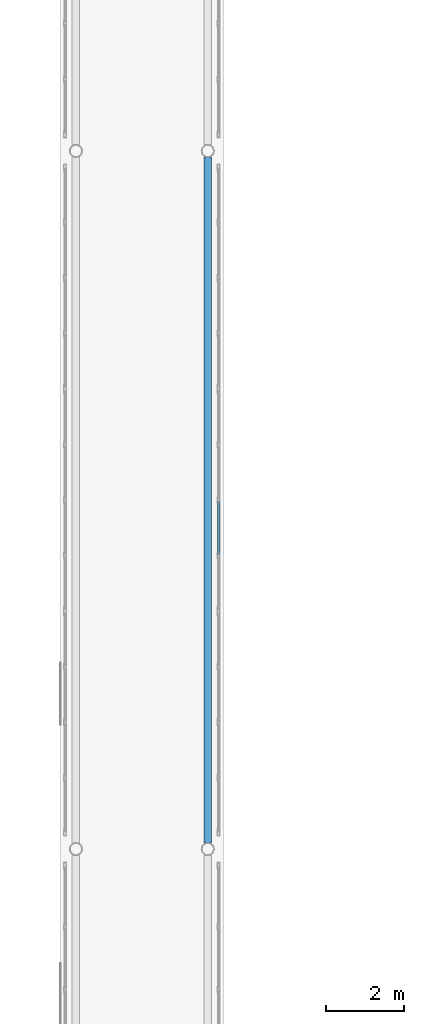
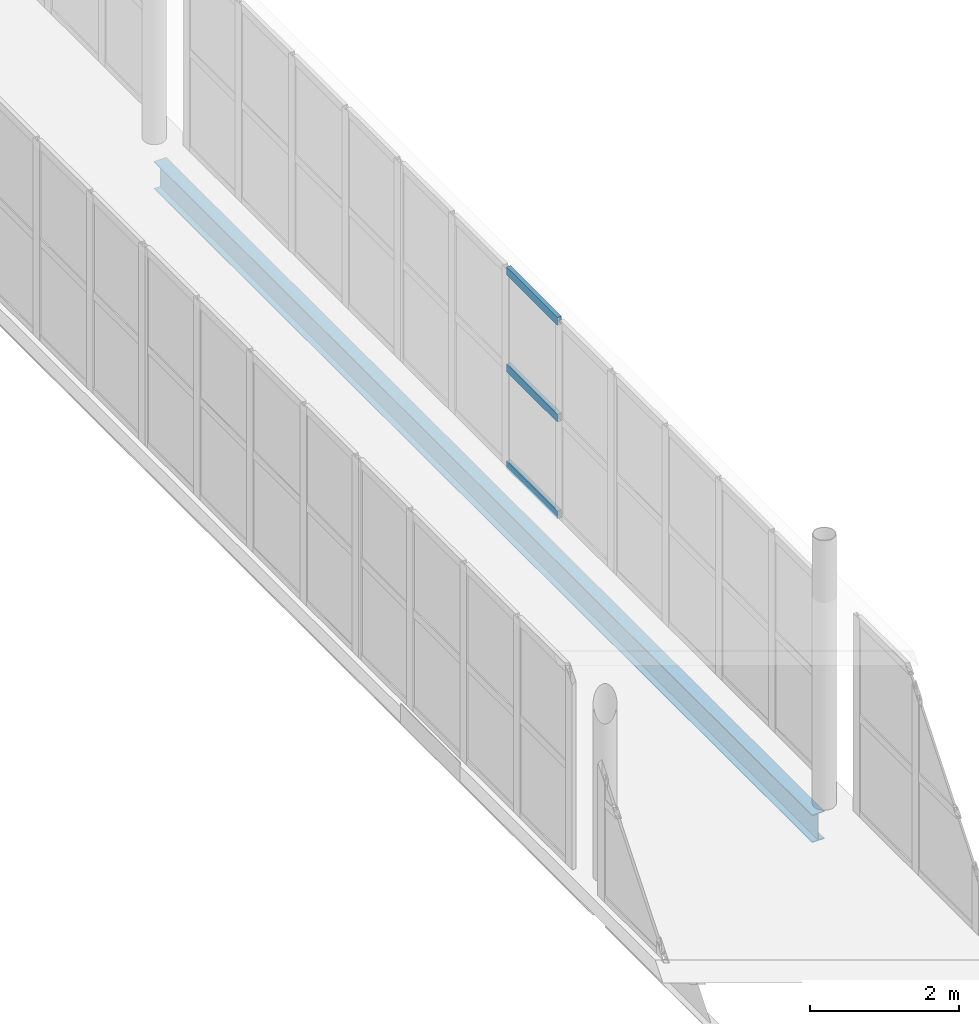
# One storey, part 56 of 142: 3 members, 1 beam, 1 element without a shape of its own.
"""IFC4 building model written with IfcOpenShell, lengths in metres."""

import ifcopenshell
import ifcopenshell.guid

model = None  # the IFC model being written
_history = None  # IfcOwnerHistory: only IFC2X3 demands one
_inside = {}  # id of a spatial element -> (the spatial element, [elements in it])
_under = {}  # id of a project, library or spatial element -> (it, [spatial elements below it])
_declared = {}  # id of a project -> (the project, [libraries it declares])
_typed = {}  # id of a type object -> (the type object, [elements of that type])
_made_of = {}  # id of a material, layer set ... -> (it, [elements and type objects made of it])


def new_model(schema):
    """Start an empty IFC model of exactly this schema.

    Asked for "IFC4X3", IfcOpenShell would pick the latest addendum, in which some entities
    have other attributes; the version numbers below select the first issue.
    IFC2X3 requires an IfcOwnerHistory on every rooted entity: one is made here for all.
    """
    global model, _history
    if schema == "IFC4X3":
        model = ifcopenshell.file(schema_version=(4, 3, 0, 0))
    else:
        model = ifcopenshell.file(schema=schema)
    _inside.clear()
    _under.clear()
    _declared.clear()
    _typed.clear()
    _made_of.clear()
    _history = None
    if model.schema == "IFC2X3":
        org = make("IfcOrganization", Name="unknown")
        user = make(
            "IfcPersonAndOrganization",
            ThePerson=make("IfcPerson", FamilyName="unknown"),
            TheOrganization=org,
        )
        app = make(
            "IfcApplication",
            ApplicationDeveloper=org,
            Version="unknown",
            ApplicationFullName="unknown",
            ApplicationIdentifier="unknown",
        )
        _history = make(
            "IfcOwnerHistory",
            OwningUser=user,
            OwningApplication=app,
            ChangeAction="ADDED",
            CreationDate=0,
        )
    return model


def make(cls, **values):
    """One entity of the class cls with the attributes given. An attribute that is None is left unset."""
    return model.create_entity(
        cls, **{name: value for name, value in values.items() if value is not None}
    )


def rooted(cls, **values):
    """An entity with a GlobalId (a new one), such as an element, a storey or a relation."""
    return make(cls, GlobalId=ifcopenshell.guid.new(), OwnerHistory=_history, **values)


def si_unit(unit_type, name, prefix=None):
    """IfcSIUnit, for example si_unit("LENGTHUNIT", "METRE", prefix="MILLI")."""
    return make("IfcSIUnit", UnitType=unit_type, Prefix=prefix, Name=name)


def assignment(units):
    """IfcUnitAssignment: the units of a project."""
    return None if units is None else make("IfcUnitAssignment", Units=units)


def point(xyz):
    """IfcCartesianPoint."""
    return None if xyz is None else make("IfcCartesianPoint", Coordinates=xyz)


def direction(xyz):
    """IfcDirection."""
    return None if xyz is None else make("IfcDirection", DirectionRatios=xyz)


def frame(location, z_axis=None, x_axis=None):
    """IfcAxis2Placement3D, a coordinate frame: its origin and axes. An axis left out is left unset."""
    return make(
        "IfcAxis2Placement3D",
        Location=point(location),
        Axis=direction(z_axis),
        RefDirection=direction(x_axis),
    )


def frame_2d(location, x_axis=None):
    """IfcAxis2Placement2D, a coordinate frame in the plane: its origin and x axis."""
    return make(
        "IfcAxis2Placement2D", Location=point(location), RefDirection=direction(x_axis)
    )


def origin():
    """The frame at (0, 0, 0) with its axes left unset."""
    return frame((0.0, 0.0, 0.0))


def origin_2d():
    """The frame at (0, 0) in the plane with its x axis left unset."""
    return frame_2d((0.0, 0.0))


def place(relative_to, where):
    """IfcLocalPlacement: puts the frame where relative to a parent placement (None: the world)."""
    return make(
        "IfcLocalPlacement", PlacementRelTo=relative_to, RelativePlacement=where
    )


def context(
    kind, dimensions, precision=None, world=None, true_north=None, identifier=None
):
    """IfcGeometricRepresentationContext, for example the 3D "Model" context."""
    return make(
        "IfcGeometricRepresentationContext",
        ContextIdentifier=identifier,
        ContextType=kind,
        CoordinateSpaceDimension=dimensions,
        Precision=precision,
        WorldCoordinateSystem=world,
        TrueNorth=true_north,
    )


def subcontext(parent, identifier, kind, view, scale=None):
    """IfcGeometricRepresentationSubContext, for example "Body" below "Model"."""
    return make(
        "IfcGeometricRepresentationSubContext",
        ContextIdentifier=identifier,
        ContextType=kind,
        ParentContext=parent,
        TargetScale=scale,
        TargetView=view,
    )


def project(units=None, contexts=None):
    """IfcProject with its units and contexts."""
    return rooted(
        "IfcProject",
        Name="project",
        RepresentationContexts=contexts,
        UnitsInContext=assignment(units),
    )


def spatial(cls, under=None, at=None, **own):
    """A site, building, storey or space (cls), placed at a placement, below another one or the project."""
    s = rooted(cls, ObjectPlacement=at, **own)
    if under is not None:
        _under.setdefault(under.id(), (under, []))[1].append(s)
    return s


def profile(cls, at=None, kind="AREA", **sizes):
    """A parametric profile (cls). Its sizes go by their IFC names, for example OverallWidth=200.0."""
    return make(cls, ProfileType=kind, Position=at, **sizes)


def hollow_rectangle(**sizes):
    """IfcRectangleHollowProfileDef."""
    return profile("IfcRectangleHollowProfileDef", **sizes)


def i_section(**sizes):
    """IfcIShapeProfileDef."""
    return profile("IfcIShapeProfileDef", **sizes)


def extrude(swept, where, along, depth):
    """IfcExtrudedAreaSolid: the profile swept, set in the frame where, extruded along a direction by depth."""
    return make(
        "IfcExtrudedAreaSolid",
        SweptArea=swept,
        Position=where,
        ExtrudedDirection=direction(along),
        Depth=depth,
    )


def shape(context_of_items, identifier, shape_type, items):
    """IfcShapeRepresentation: the items that make up one representation, for example the "Body"."""
    return make(
        "IfcShapeRepresentation",
        ContextOfItems=context_of_items,
        RepresentationIdentifier=identifier,
        RepresentationType=shape_type,
        Items=items,
    )


def material(Name=None, Category=None):
    """IfcMaterial."""
    return make("IfcMaterial", Name=Name, Category=Category)


def layer(
    of_material, thickness, ventilated=None, Name=None, Category=None, Priority=None
):
    """IfcMaterialLayer: one layer of a wall or slab, of a material (None: an air gap)."""
    return make(
        "IfcMaterialLayer",
        Material=of_material,
        LayerThickness=thickness,
        IsVentilated=ventilated,
        Name=Name,
        Category=Category,
        Priority=Priority,
    )


def layer_set(layers, Name=None):
    """IfcMaterialLayerSet."""
    return make("IfcMaterialLayerSet", MaterialLayers=layers, LayerSetName=Name)


def material_profile(
    of_material, cross_section, Name=None, Category=None, Priority=None
):
    """IfcMaterialProfile: a cross section and its material."""
    return make(
        "IfcMaterialProfile",
        Name=Name,
        Material=of_material,
        Profile=cross_section,
        Priority=Priority,
        Category=Category,
    )


def profile_set(profiles, Name=None, composite=None):
    """IfcMaterialProfileSet."""
    return make(
        "IfcMaterialProfileSet",
        Name=Name,
        MaterialProfiles=profiles,
        CompositeProfile=composite,
    )


def made_of(thing, what):
    """Note that an element or type object is made of a material, layer set ...; save() writes the relation."""
    if what is not None:
        _made_of.setdefault(what.id(), (what, []))[1].append(thing)
    return thing


def type_object(cls, material=None, **own):
    """A type object (cls), such as IfcWallType, which elements share."""
    return made_of(rooted(cls, **own), material)


def element(
    cls,
    number,
    at=None,
    inside=None,
    cuts=None,
    type_object=None,
    material=None,
    context=None,
    identifier="Body",
    shape_type=None,
    held_by="IfcProductDefinitionShape",
    body=None,
    shapes=None,
    **own,
):
    """One element of the class cls, such as IfcWall. Its Tag is "e" and its number.

    at: its placement. inside: the storey or other place that contains it. cuts: it is an
    opening in that element (IfcRelVoidsElement). A single representation is given by context,
    identifier, shape_type and body (its items); several are given by shapes. held_by: the class
    of the entity that holds the representations. save() writes the other relations.
    """
    e = rooted(cls, Tag="e%d" % number, ObjectPlacement=at, **own)
    if body is not None:
        shapes = [shape(context, identifier, shape_type, body)]
    if shapes is not None:
        e.Representation = make(held_by, Representations=shapes)
    if inside is not None:
        _inside.setdefault(inside.id(), (inside, []))[1].append(e)
    if cuts is not None:
        rooted(
            "IfcRelVoidsElement", RelatingBuildingElement=cuts, RelatedOpeningElement=e
        )
    if type_object is not None:
        _typed.setdefault(type_object.id(), (type_object, []))[1].append(e)
    return made_of(e, material)


def aggregate(whole, parts):
    """IfcRelAggregates: a whole, such as a stair, and the parts it consists of."""
    return rooted("IfcRelAggregates", RelatingObject=whole, RelatedObjects=parts)


def save(model, path):
    """Write the relations noted so far, then the file.

    IfcRelAggregates (storeys below a building ...), IfcRelContainedInSpatialStructure (elements
    in a storey), IfcRelDefinesByType, IfcRelAssociatesMaterial and IfcRelDeclares: one each for
    every whole, place, type object, material and project.
    """
    for whole, parts in _under.values():
        aggregate(whole, parts)
    for where, things in _inside.values():
        rooted(
            "IfcRelContainedInSpatialStructure",
            RelatedElements=things,
            RelatingStructure=where,
        )
    for kind, things in _typed.values():
        rooted("IfcRelDefinesByType", RelatedObjects=things, RelatingType=kind)
    for what, things in _made_of.values():
        rooted("IfcRelAssociatesMaterial", RelatedObjects=things, RelatingMaterial=what)
    for by, libraries in _declared.values():
        rooted("IfcRelDeclares", RelatingContext=by, RelatedDefinitions=libraries)
    model.write(path)


model = new_model("IFC4")

# Units and contexts
model_context = context("Model", 3, precision=1e-05, world=origin(), true_north=direction((0.0, 1.0)))
body_context = subcontext(model_context, "Body", "Model", "MODEL_VIEW")
ifc_project = project(units=[si_unit("LENGTHUNIT", "METRE"), si_unit("AREAUNIT", "SQUARE_METRE"), si_unit("VOLUMEUNIT", "CUBIC_METRE"), si_unit("PLANEANGLEUNIT", "RADIAN"), si_unit("MASSUNIT", "GRAM", prefix="KILO")], contexts=[model_context])

# Site, building, storey
site_placement = place(None, origin())
site = spatial("IfcSite", under=ifc_project, at=site_placement, CompositionType="ELEMENT")
building_placement = place(site_placement, origin())
building = spatial("IfcBuilding", under=site, at=building_placement, Name="Valcora Specialist Clinic", CompositionType="ELEMENT")
storey_placement = place(building_placement, frame((0.0, 0.0, 5.10009765625)))
storey = spatial("IfcBuildingStorey", under=building, at=storey_placement, Name="L01", CompositionType="ELEMENT", Elevation=5.10009765625)

# Beam
ifc_material_1 = material(Name="Steel ASTM A992 Grade 50", Category="steel")
ifc_material_profile_1 = material_profile(ifc_material_1, i_section(OverallWidth=0.18994140625, OverallDepth=0.45703125, WebThickness=0.009033203125, FlangeThickness=0.014892578125, at=origin_2d()), Name="ST-IR-460X190")
ifc_profile_set_1 = profile_set([ifc_material_profile_1], Name="Steel ASTM A992 Grade 50")
beam_type = type_object("IfcBeamType", Name="TY-BG-IR460", PredefinedType="HOLLOWCORE", material=ifc_profile_set_1)
beam_placement = place(storey_placement, frame((65.0, 38.159912109375, -0.482666015625), z_axis=(0.0, 1.0, 0.0), x_axis=(-1.0, 0.0, 0.0)))
element("IfcBeam", 1, at=beam_placement, inside=storey, type_object=beam_type, Name="Bridge girder BM-L01-1622", PredefinedType="HOLLOWCORE", context=body_context, shape_type="SweptSolid", body=[
    extrude(i_section(OverallWidth=0.18994140625, OverallDepth=0.45703125, WebThickness=0.009033203125, FlangeThickness=0.014892578125, at=origin_2d()), origin(), (0.0, 0.0, 1.0), 17.68017578125),
])

# Curtain wall, members
ifc_material_2 = material(Name="Anodized Bronze Aluminium 6063-T6", Category="aluminium")
ifc_layer = layer(ifc_material_2, 0.175048828125)
ifc_layer_set = layer_set([ifc_layer], Name="Anodized Bronze Aluminium 6063-T6")
curtain_wall_type = type_object("IfcCurtainWallType", Name="TY-CW-BRG14", PredefinedType="NOTDEFINED", material=ifc_layer_set)
curtain_wall_placement = place(storey_placement, origin())
curtain_wall = element("IfcCurtainWall", 2, at=curtain_wall_placement, inside=storey, type_object=curtain_wall_type, Name="Curtain wall CW-L01-244", PredefinedType="NOTDEFINED")
ifc_material_profile_2 = material_profile(ifc_material_2, hollow_rectangle(XDim=0.06494140625, YDim=0.1298828125, WallThickness=0.00390625, at=origin_2d()), Name="AL-TRN-65X130")
ifc_profile_set_2 = profile_set([ifc_material_profile_2], Name="Anodized Bronze Aluminium 6063-T6")
member_type = type_object("IfcMemberType", Name="TY-CWT-65X130", PredefinedType="USERDEFINED", material=ifc_profile_set_2)
member_1_placement = place(storey_placement, frame((65.280029296875, 45.59912109375, 0.032470703125), z_axis=(0.0, 1.0, 0.0), x_axis=(-1.0, 0.0, 0.0)))
member_1 = element("IfcMember", 3, at=member_1_placement, type_object=member_type, Name="CW-BRG-14 transom 2.1", ObjectType="TRANSOM", PredefinedType="USERDEFINED", context=body_context, shape_type="SweptSolid", body=[
    extrude(hollow_rectangle(XDim=0.06494140625, YDim=0.1298828125, WallThickness=0.00390625, at=origin_2d()), origin(), (0.0, 0.0, 1.0), 1.368408203125),
])
member_2_placement = place(storey_placement, frame((65.280029296875, 45.59912109375, 1.619873046875), z_axis=(0.0, 1.0, 0.0), x_axis=(-1.0, 0.0, 0.0)))
member_2 = element("IfcMember", 4, at=member_2_placement, type_object=member_type, Name="CW-BRG-14 transom 2.2", ObjectType="TRANSOM", PredefinedType="USERDEFINED", context=body_context, shape_type="SweptSolid", body=[
    extrude(hollow_rectangle(XDim=0.06494140625, YDim=0.1298828125, WallThickness=0.00390625, at=origin_2d()), origin(), (0.0, 0.0, 1.0), 1.368408203125),
])
member_3_placement = place(storey_placement, frame((65.280029296875, 45.59912109375, 3.20751953125), z_axis=(0.0, 1.0, 0.0), x_axis=(-1.0, 0.0, 0.0)))
member_3 = element("IfcMember", 5, at=member_3_placement, type_object=member_type, Name="CW-BRG-14 transom 2.3", ObjectType="TRANSOM", PredefinedType="USERDEFINED", context=body_context, shape_type="SweptSolid", body=[
    extrude(hollow_rectangle(XDim=0.06494140625, YDim=0.1298828125, WallThickness=0.00390625, at=origin_2d()), origin(), (0.0, 0.0, 1.0), 1.368408203125),
])
aggregate(curtain_wall, [member_1, member_2, member_3])

save(model, "model.ifc")
